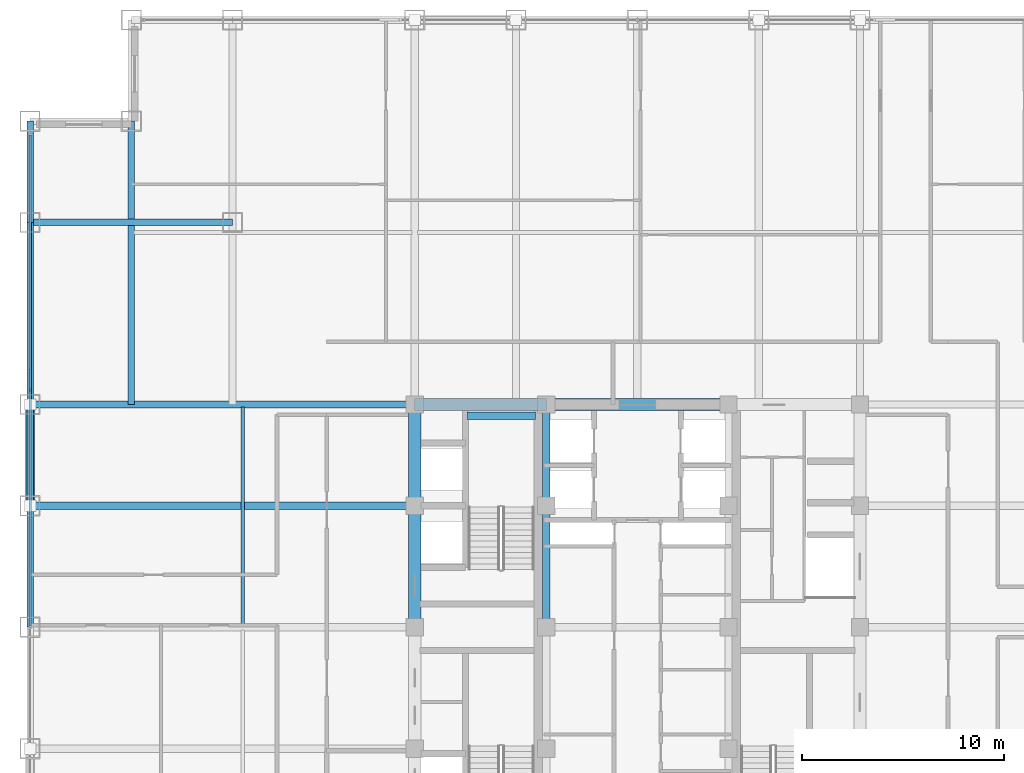
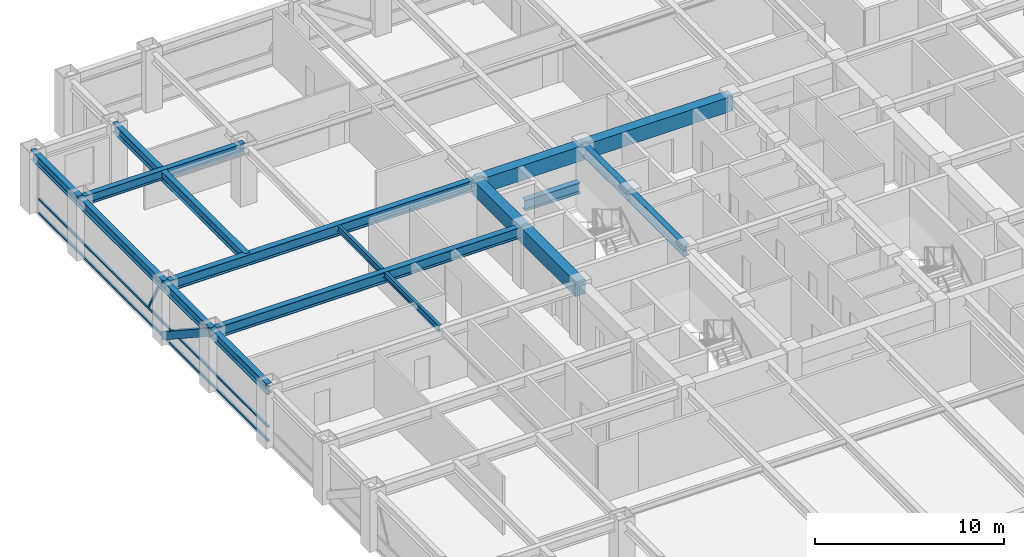
# One storey, part 11 of 25: 16 beams, 5 members, 1 element without a shape of its own.
"""IFC4 building model written with IfcOpenShell, lengths in metres."""

from ifc_helpers import new_model, si_unit, direction, frame, origin, origin_2d, place, context, subcontext, project, spatial, rectangle, hollow_rectangle, i_section, extrude, source, transform, mapped, material, material_profile, profile_set, type_object, element, aggregate, save


model = new_model("IFC4")

# Units and contexts
model_context = context("Model", 3, precision=1e-05, world=origin(), true_north=direction((0.0, 1.0)))
body_context = subcontext(model_context, "Body", "Model", "MODEL_VIEW")
ifc_project = project(units=[si_unit("LENGTHUNIT", "METRE"), si_unit("AREAUNIT", "SQUARE_METRE"), si_unit("VOLUMEUNIT", "CUBIC_METRE"), si_unit("PLANEANGLEUNIT", "RADIAN"), si_unit("MASSUNIT", "GRAM", prefix="KILO")], contexts=[model_context])

# Site, building, storey
site_placement = place(None, origin())
site = spatial("IfcSite", under=ifc_project, at=site_placement, CompositionType="ELEMENT")
building_placement = place(site_placement, origin())
building = spatial("IfcBuilding", under=site, at=building_placement, Name="Khorayat Bourse Tower", CompositionType="ELEMENT")
storey_placement = place(building_placement, frame((0.0, 0.0, 223.10009765625)))
storey = spatial("IfcBuildingStorey", under=building, at=storey_placement, Name="L52", CompositionType="ELEMENT", Elevation=223.10009765625)

# Beams
ifc_material_1 = material(Name="Steel ASTM A992 Grade 50", Category="steel")
ifc_material_profile_1 = material_profile(ifc_material_1, i_section(OverallWidth=0.35498046875, OverallDepth=0.695068359375, WebThickness=0.015380859375, FlangeThickness=0.02490234375, FilletRadius=0.01806640625, at=origin_2d()), Name="W690X217")
ifc_profile_set_1 = profile_set([ifc_material_profile_1], Name="Steel ASTM A992 Grade 50")
beam_type_1 = type_object("IfcBeamType", Name="BM-GIRD-690", PredefinedType="BEAM", material=ifc_profile_set_1)
shared_shape_1 = source(origin(), body_context, "Body", "SweptSolid", [
    extrude(i_section(OverallWidth=0.35498046875, OverallDepth=0.695068359375, WebThickness=0.015380859375, FlangeThickness=0.02490234375, FilletRadius=0.01806640625, at=origin_2d()), origin(), (0.0, 0.0, 1.0), 5.0),
])
beam_1_placement = place(storey_placement, frame((-4.5, 6.0, 3.432373046875), z_axis=(0.0, 1.0, 0.0), x_axis=(-1.0, 0.0, 0.0)))
element("IfcBeam", 1, at=beam_1_placement, inside=storey, type_object=beam_type_1, Name="L52 BM-GIRD-690 BM-L52-CRX-08", PredefinedType="BEAM", context=body_context, shape_type="MappedRepresentation", body=[
    mapped(shared_shape_1, transform((0.0, 0.0, 0.0), scale=1.0)),
])
shared_shape_2 = source(origin(), body_context, "Body", "SweptSolid", [
    extrude(i_section(OverallWidth=0.35498046875, OverallDepth=0.695068359375, WebThickness=0.015380859375, FlangeThickness=0.02490234375, FilletRadius=0.01806640625, at=origin_2d()), origin(), (0.0, 0.0, 1.0), 6.0),
])
beam_2_placement = place(storey_placement, frame((-4.5, 0.0, 3.432373046875), z_axis=(0.0, 1.0, 0.0), x_axis=(-1.0, 0.0, 0.0)))
element("IfcBeam", 2, at=beam_2_placement, inside=storey, type_object=beam_type_1, Name="L52 BM-GIRD-690 BM-L52-CRX-07", PredefinedType="BEAM", context=body_context, shape_type="MappedRepresentation", body=[
    mapped(shared_shape_2, transform((0.0, 0.0, 0.0), scale=1.0)),
])
shared_shape_3 = source(origin(), body_context, "Body", "SweptSolid", [
    extrude(i_section(OverallWidth=0.35498046875, OverallDepth=0.695068359375, WebThickness=0.015380859375, FlangeThickness=0.02490234375, FilletRadius=0.01806640625, at=origin_2d()), origin(), (0.0, 0.0, 1.0), 3.39990234375),
])
beam_3_placement = place(storey_placement, frame((-8.419921875, 10.449951171875, 1.452392578125), z_axis=(1.0, 0.0, 0.0), x_axis=(0.0, 1.0, 0.0)))
element("IfcBeam", 3, at=beam_3_placement, inside=storey, type_object=beam_type_1, Name="L52 BM-GIRD-690 BM-L52-ST2L", PredefinedType="BEAM", context=body_context, shape_type="MappedRepresentation", body=[
    mapped(shared_shape_3, transform((0.0, 0.0, 0.0), scale=1.0)),
])
ifc_material_profile_2 = material_profile(ifc_material_1, i_section(OverallWidth=0.324951171875, OverallDepth=0.615966796875, WebThickness=0.013916015625, FlangeThickness=0.021484375, FilletRadius=0.01611328125, at=origin_2d()), Name="W610X174")
ifc_profile_set_2 = profile_set([ifc_material_profile_2], Name="Steel ASTM A992 Grade 50")
beam_type_2 = type_object("IfcBeamType", Name="BM-GIRD-610", PredefinedType="BEAM", material=ifc_profile_set_2)
shared_shape_4 = source(origin(), body_context, "Body", "SweptSolid", [
    extrude(i_section(OverallWidth=0.324951171875, OverallDepth=0.615966796875, WebThickness=0.013916015625, FlangeThickness=0.021484375, FilletRadius=0.01611328125, at=origin_2d()), origin(), (0.0, 0.0, 1.0), 10.0),
])
beam_4_placement = place(storey_placement, frame((-30.0, 20.0, 3.471923828125), z_axis=(1.0, 0.0, 0.0), x_axis=(0.0, 1.0, 0.0)))
element("IfcBeam", 4, at=beam_4_placement, inside=storey, type_object=beam_type_2, Name="L52 BM-GIRD-610 BM-L52-CNRX-095", PredefinedType="BEAM", context=body_context, shape_type="MappedRepresentation", body=[
    mapped(shared_shape_4, transform((0.0, 0.0, 0.0), scale=1.0)),
])
ifc_material_profile_3 = material_profile(ifc_material_1, i_section(OverallWidth=0.180908203125, OverallDepth=0.4169921875, WebThickness=0.010986328125, FlangeThickness=0.018310546875, FilletRadius=0.011962890625, at=origin_2d()), Name="W410X85")
ifc_profile_set_3 = profile_set([ifc_material_profile_3], Name="Steel ASTM A992 Grade 50")
beam_type_3 = type_object("IfcBeamType", Name="BM-JOIST-410", PredefinedType="JOIST", material=ifc_profile_set_3)
shared_shape_5 = source(origin(), body_context, "Body", "SweptSolid", [
    extrude(i_section(OverallWidth=0.180908203125, OverallDepth=0.4169921875, WebThickness=0.010986328125, FlangeThickness=0.018310546875, FilletRadius=0.011962890625, at=origin_2d()), origin(), (0.0, 0.0, 1.0), 10.740234375),
])
beam_5_placement = place(storey_placement, frame((-19.5, 0.1298828125, 3.5712890625), z_axis=(0.0, 1.0, 0.0), x_axis=(-1.0, 0.0, 0.0)))
element("IfcBeam", 5, at=beam_5_placement, inside=storey, type_object=beam_type_3, Name="L52 BM-JOIST-410 BM-L52-JSTY-103", PredefinedType="JOIST", context=body_context, shape_type="MappedRepresentation", body=[
    mapped(shared_shape_5, transform((0.0, 0.0, 0.0), scale=1.0)),
])
ifc_material_profile_4 = material_profile(ifc_material_1, i_section(OverallWidth=0.324951171875, OverallDepth=0.615966796875, WebThickness=0.013916015625, FlangeThickness=0.021484375, FilletRadius=0.01611328125, at=origin_2d()), Name="W610X174")
ifc_profile_set_4 = profile_set([ifc_material_profile_4], Name="Steel ASTM A992 Grade 50")
beam_type_4 = type_object("IfcBeamType", Name="BM-SPAN-610", PredefinedType="SPANDREL", material=ifc_profile_set_4)
shared_shape_6 = source(origin(), body_context, "Body", "SweptSolid", [
    extrude(i_section(OverallWidth=0.324951171875, OverallDepth=0.615966796875, WebThickness=0.013916015625, FlangeThickness=0.021484375, FilletRadius=0.01611328125, at=origin_2d()), origin(), (0.0, 0.0, 1.0), 9.0),
])
beam_6_placement = place(storey_placement, frame((-30.0, 11.0, 3.471923828125), z_axis=(0.0, 1.0, 0.0), x_axis=(-1.0, 0.0, 0.0)))
element("IfcBeam", 6, at=beam_6_placement, inside=storey, type_object=beam_type_4, Name="L52 BM-SPAN-610 BM-L52-SPN-055", PredefinedType="SPANDREL", context=body_context, shape_type="MappedRepresentation", body=[
    mapped(shared_shape_6, transform((0.0, 0.0, 0.0), scale=1.0)),
])
shared_shape_7 = source(origin(), body_context, "Body", "SweptSolid", [
    extrude(i_section(OverallWidth=0.324951171875, OverallDepth=0.615966796875, WebThickness=0.013916015625, FlangeThickness=0.021484375, FilletRadius=0.01611328125, at=origin_2d()), origin(), (0.0, 0.0, 1.0), 5.0),
])
for number, where, z_axis, x_axis, name in (
    (7, (-30.0, 20.0, 3.471923828125), (0.0, 1.0, 0.0), (-1.0, 0.0, 0.0), "L52 BM-SPAN-610 BM-L52-SPN-054"),
    (8, (-30.0, 6.0, 3.471923828125), (0.0, 1.0, 0.0), (-1.0, 0.0, 0.0), "L52 BM-SPAN-610 BM-L52-SPN-056"),
):
    element("IfcBeam", number, at=place(storey_placement, frame(where, z_axis=z_axis, x_axis=x_axis)), inside=storey, type_object=beam_type_4, Name=name, PredefinedType="SPANDREL", context=body_context, shape_type="MappedRepresentation", body=[
        mapped(shared_shape_7, transform((0.0, 0.0, 0.0), scale=1.0)),
    ])
shared_shape_8 = source(origin(), body_context, "Body", "SweptSolid", [
    extrude(i_section(OverallWidth=0.324951171875, OverallDepth=0.615966796875, WebThickness=0.013916015625, FlangeThickness=0.021484375, FilletRadius=0.01611328125, at=origin_2d()), origin(), (0.0, 0.0, 1.0), 6.0),
])
beam_7_placement = place(storey_placement, frame((-30.0, 0.0, 3.471923828125), z_axis=(0.0, 1.0, 0.0), x_axis=(-1.0, 0.0, 0.0)))
element("IfcBeam", 9, at=beam_7_placement, inside=storey, type_object=beam_type_4, Name="L52 BM-SPAN-610 BM-L52-SPN-057", PredefinedType="SPANDREL", context=body_context, shape_type="MappedRepresentation", body=[
    mapped(shared_shape_8, transform((0.0, 0.0, 0.0), scale=1.0)),
])
ifc_material_2 = material(Name="Concrete C60/75", Category="concrete")
ifc_material_profile_5 = material_profile(ifc_material_2, rectangle(XDim=0.60009765625, YDim=0.949951171875, at=origin_2d()), Name="RC 600x950")
ifc_profile_set_5 = profile_set([ifc_material_profile_5], Name="Concrete C60/75")
beam_type_5 = type_object("IfcBeamType", Name="BM-COUP-950", PredefinedType="BEAM", material=ifc_profile_set_5)
shared_shape_9 = source(origin(), body_context, "Body", "SweptSolid", [
    extrude(rectangle(XDim=0.60009765625, YDim=0.949951171875, at=origin_2d()), origin(), (0.0, 0.0, 1.0), 5.0),
])
beam_8_placement = place(storey_placement, frame((-11.0, 6.0, 3.304931640625), z_axis=(0.0, 1.0, 0.0), x_axis=(-1.0, 0.0, 0.0)))
element("IfcBeam", 10, at=beam_8_placement, inside=storey, type_object=beam_type_5, Name="L52 BM-COUP-950 BM-L52-CRX-04", PredefinedType="BEAM", context=body_context, shape_type="MappedRepresentation", body=[
    mapped(shared_shape_9, transform((0.0, 0.0, 0.0), scale=1.0)),
])
shared_shape_10 = source(origin(), body_context, "Body", "SweptSolid", [
    extrude(rectangle(XDim=0.60009765625, YDim=0.949951171875, at=origin_2d()), origin(), (0.0, 0.0, 1.0), 6.0),
])
beam_9_placement = place(storey_placement, frame((-11.0, 0.0, 3.304931640625), z_axis=(0.0, 1.0, 0.0), x_axis=(-1.0, 0.0, 0.0)))
element("IfcBeam", 11, at=beam_9_placement, inside=storey, type_object=beam_type_5, Name="L52 BM-COUP-950 BM-L52-CRX-03", PredefinedType="BEAM", context=body_context, shape_type="MappedRepresentation", body=[
    mapped(shared_shape_10, transform((0.0, 0.0, 0.0), scale=1.0)),
])
shared_shape_11 = source(origin(), body_context, "Body", "SweptSolid", [
    extrude(rectangle(XDim=0.60009765625, YDim=0.949951171875, at=origin_2d()), origin(), (0.0, 0.0, 1.0), 6.5),
])
beam_10_placement = place(storey_placement, frame((-11.0, 11.0, 3.304931640625), z_axis=(1.0, 0.0, 0.0), x_axis=(0.0, 1.0, 0.0)))
element("IfcBeam", 12, at=beam_10_placement, inside=storey, type_object=beam_type_5, Name="L52 BM-COUP-950 BM-L52-CRY-20", PredefinedType="BEAM", context=body_context, shape_type="MappedRepresentation", body=[
    mapped(shared_shape_11, transform((0.0, 0.0, 0.0), scale=1.0)),
])
shared_shape_12 = source(origin(), body_context, "Body", "SweptSolid", [
    extrude(rectangle(XDim=0.60009765625, YDim=0.949951171875, at=origin_2d()), origin(), (0.0, 0.0, 1.0), 9.0),
])
beam_11_placement = place(storey_placement, frame((-4.5, 11.0, 3.304931640625), z_axis=(1.0, 0.0, 0.0), x_axis=(0.0, 1.0, 0.0)))
element("IfcBeam", 13, at=beam_11_placement, inside=storey, type_object=beam_type_5, Name="L52 BM-COUP-950 BM-L52-CRY-21", PredefinedType="BEAM", context=body_context, shape_type="MappedRepresentation", body=[
    mapped(shared_shape_12, transform((0.0, 0.0, 0.0), scale=1.0)),
])
shared_shape_13 = source(origin(), body_context, "Body", "SweptSolid", [
    extrude(i_section(OverallWidth=0.35498046875, OverallDepth=0.695068359375, WebThickness=0.015380859375, FlangeThickness=0.02490234375, FilletRadius=0.01806640625, at=origin_2d()), origin(), (0.0, 0.0, 1.0), 19.0),
])
for number, where, z_axis, x_axis, name in (
    (14, (-30.0, 6.0, 3.432373046875), (1.0, 0.0, 0.0), (0.0, 1.0, 0.0), "L52 BM-GIRD-690 BM-L52-RADX-081"),
    (15, (-30.0, 11.0, 3.432373046875), (1.0, 0.0, 0.0), (0.0, 1.0, 0.0), "L52 BM-GIRD-690 BM-L52-RADX-083"),
):
    element("IfcBeam", number, at=place(storey_placement, frame(where, z_axis=z_axis, x_axis=x_axis)), inside=storey, type_object=beam_type_1, Name=name, PredefinedType="BEAM", context=body_context, shape_type="MappedRepresentation", body=[
        mapped(shared_shape_13, transform((0.0, 0.0, 0.0), scale=1.0)),
    ])
shared_shape_14 = source(origin(), body_context, "Body", "SweptSolid", [
    extrude(i_section(OverallWidth=0.324951171875, OverallDepth=0.615966796875, WebThickness=0.013916015625, FlangeThickness=0.021484375, FilletRadius=0.01611328125, at=origin_2d()), origin(), (0.0, 0.0, 1.0), 14.0),
])
beam_12_placement = place(storey_placement, frame((-25.0, 11.0, 3.471923828125), z_axis=(0.0, 1.0, 0.0), x_axis=(-1.0, 0.0, 0.0)))
element("IfcBeam", 16, at=beam_12_placement, inside=storey, type_object=beam_type_2, Name="L52 BM-GIRD-610 BM-L52-CNRY-089", PredefinedType="BEAM", context=body_context, shape_type="MappedRepresentation", body=[
    mapped(shared_shape_14, transform((0.0, 0.0, 0.0), scale=1.0)),
])

# Member
ifc_material_3 = material(Name="Steel EN 10025-4 S460M", Category="steel")
ifc_material_profile_6 = material_profile(ifc_material_3, hollow_rectangle(XDim=0.449951171875, YDim=0.449951171875, WallThickness=0.02490234375, at=origin_2d()), Name="HSS 450x450x25")
ifc_profile_set_6 = profile_set([ifc_material_profile_6], Name="Steel EN 10025-4 S460M")
member_type_1 = type_object("IfcMemberType", Name="MBR-TUBE-450", PredefinedType="BRACE", material=ifc_profile_set_6)
shared_shape_15 = source(origin(), body_context, "Body", "SweptSolid", [
    extrude(hollow_rectangle(XDim=0.449951171875, YDim=0.449951171875, WallThickness=0.02490234375, at=origin_2d()), origin(), (0.0, 0.0, 1.0), 5.979736328125),
])
member_1_placement = place(storey_placement, frame((-30.0, 6.0, 3.52978515625), z_axis=(0.0, 0.836160261256, -0.548485202623), x_axis=(-1.0, 0.0, 0.0)))
element("IfcMember", 17, at=member_1_placement, inside=storey, type_object=member_type_1, Name="L52 Perimeter Tube Brace 06", PredefinedType="BRACE", context=body_context, shape_type="MappedRepresentation", body=[
    mapped(shared_shape_15, transform((0.0, 0.0, 0.0), scale=1.0)),
])

# Curtain wall, members
ifc_material_4 = material(Name="Aluminium EN AW-6063 T6", Category="aluminium")
curtain_wall_type = type_object("IfcCurtainWallType", Name="CW-SYS-03", PredefinedType="NOTDEFINED", material=ifc_material_4)
curtain_wall_placement = place(storey_placement, origin())
curtain_wall = element("IfcCurtainWall", 18, at=curtain_wall_placement, inside=storey, type_object=curtain_wall_type, Name="L52 Curtain Wall CW-L52-W1", PredefinedType="NOTDEFINED")
ifc_material_profile_7 = material_profile(ifc_material_4, hollow_rectangle(XDim=0.1201171875, YDim=0.1201171875, WallThickness=0.0048828125, at=origin_2d()), Name="ALU 120x120x5")
ifc_profile_set_7 = profile_set([ifc_material_profile_7], Name="Aluminium EN AW-6063 T6")
member_type_2 = type_object("IfcMemberType", Name="CWM-DIAG-120", PredefinedType="MULLION", material=ifc_profile_set_7)
shared_shape_16 = source(origin(), body_context, "Body", "SweptSolid", [
    extrude(hollow_rectangle(XDim=0.1201171875, YDim=0.1201171875, WallThickness=0.0048828125, at=origin_2d()), origin(), (0.0, 0.0, 1.0), 2.079345703125),
])
member_2_placement = place(storey_placement, frame((-30.0, 12.67919921875, 1.08984375), z_axis=(0.0, -0.465760949701, 0.884910581773), x_axis=(1.0, 0.0, 0.0)))
member_2 = element("IfcMember", 19, at=member_2_placement, type_object=member_type_2, Name="CW-L52-W1 Faceted Diagonal Mullion 2", PredefinedType="MULLION", context=body_context, shape_type="MappedRepresentation", body=[
    mapped(shared_shape_16, transform((0.0, 0.0, 0.0), scale=1.0)),
])
ifc_material_profile_8 = material_profile(ifc_material_4, hollow_rectangle(XDim=0.1201171875, YDim=0.1201171875, WallThickness=0.0048828125, at=origin_2d()), Name="ALU 120x120x5")
ifc_profile_set_8 = profile_set([ifc_material_profile_8], Name="Aluminium EN AW-6063 T6")
member_type_3 = type_object("IfcMemberType", Name="CWT-HORZ-120", PredefinedType="USERDEFINED", material=ifc_profile_set_8)
shared_shape_17 = source(origin(), body_context, "Body", "SweptSolid", [
    extrude(hollow_rectangle(XDim=0.1201171875, YDim=0.1201171875, WallThickness=0.0048828125, at=origin_2d()), origin(), (0.0, 0.0, 1.0), 24.27001953125),
])
member_3_placement = place(storey_placement, frame((-30.0, 0.06005859375, 0.059814453125), z_axis=(0.0, 1.0, 0.0), x_axis=(-1.0, 0.0, 0.0)))
member_3 = element("IfcMember", 20, at=member_3_placement, type_object=member_type_3, Name="CW-L52-W1 Horizontal Transom 2-1", ObjectType="TRANSOM", PredefinedType="USERDEFINED", context=body_context, shape_type="MappedRepresentation", body=[
    mapped(shared_shape_17, transform((0.0, 0.0, 0.0), scale=1.0)),
])
member_4_placement = place(storey_placement, frame((-30.0, 0.06005859375, 0.949951171875), z_axis=(0.0, 1.0, 0.0), x_axis=(-1.0, 0.0, 0.0)))
member_4 = element("IfcMember", 21, at=member_4_placement, type_object=member_type_3, Name="CW-L52-W1 Horizontal Transom 2-2", ObjectType="TRANSOM", PredefinedType="USERDEFINED", context=body_context, shape_type="MappedRepresentation", body=[
    mapped(shared_shape_17, transform((0.0, 0.0, 0.0), scale=1.0)),
])
member_5_placement = place(storey_placement, frame((-30.0, 0.06005859375, 3.06982421875), z_axis=(0.0, 1.0, 0.0), x_axis=(-1.0, 0.0, 0.0)))
member_5 = element("IfcMember", 22, at=member_5_placement, type_object=member_type_3, Name="CW-L52-W1 Horizontal Transom 2-3", ObjectType="TRANSOM", PredefinedType="USERDEFINED", context=body_context, shape_type="MappedRepresentation", body=[
    mapped(shared_shape_17, transform((0.0, 0.0, 0.0), scale=1.0)),
])
aggregate(curtain_wall, [member_3, member_4, member_5, member_2])

save(model, "model.ifc")
